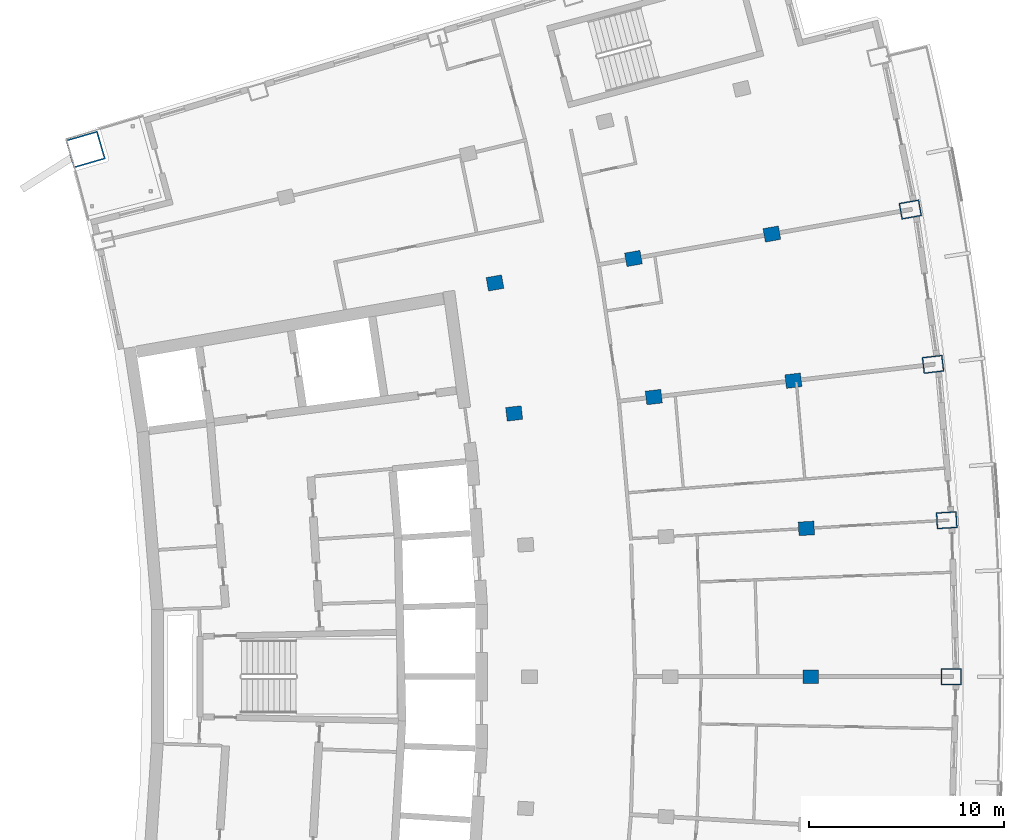
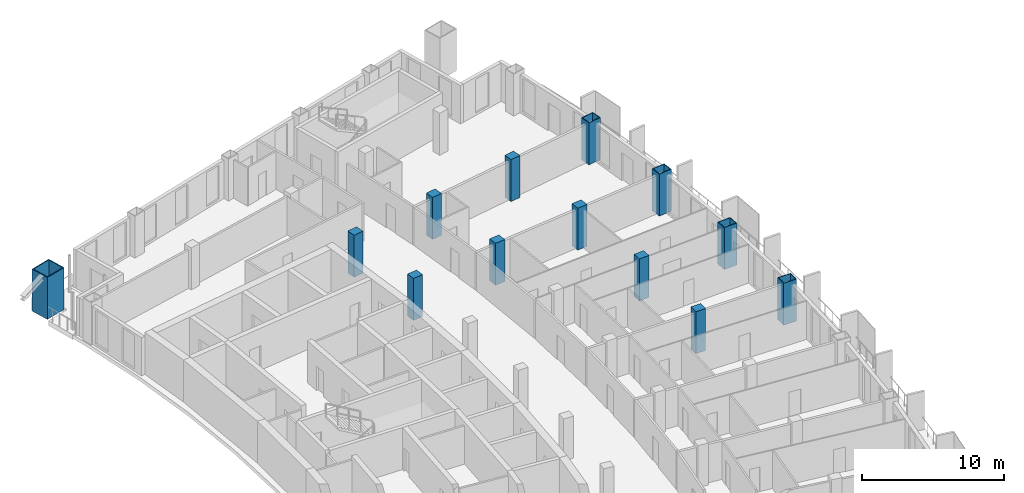
# One storey, part 6 of 18: 13 columns.
"""IFC4 building model written with IfcOpenShell, lengths in metres."""

from ifc_helpers import new_model, si_unit, direction, frame, origin, origin_2d, place, context, subcontext, project, spatial, rectangle, hollow_rectangle, extrude, material, material_profile, profile_set, type_object, element, save


model = new_model("IFC4")

# Units and contexts
model_context = context("Model", 3, precision=1e-05, world=origin(), true_north=direction((0.0, 1.0)))
body_context = subcontext(model_context, "Body", "Model", "MODEL_VIEW")
ifc_project = project(units=[si_unit("LENGTHUNIT", "METRE"), si_unit("AREAUNIT", "SQUARE_METRE"), si_unit("VOLUMEUNIT", "CUBIC_METRE"), si_unit("PLANEANGLEUNIT", "RADIAN"), si_unit("MASSUNIT", "GRAM", prefix="KILO")], contexts=[model_context])

# Site, building, storey
site_placement = place(None, origin())
site = spatial("IfcSite", under=ifc_project, at=site_placement, CompositionType="ELEMENT")
building_placement = place(site_placement, origin())
building = spatial("IfcBuilding", under=site, at=building_placement, Name="Alderwake Tower", CompositionType="ELEMENT")
storey_placement = place(building_placement, frame((0.0, 0.0, 225.199951171875)))
storey = spatial("IfcBuildingStorey", under=building, at=storey_placement, Name="L56", CompositionType="ELEMENT", Elevation=225.199951171875)

# Columns
ifc_material_1 = material(Name="Concrete C70/85", Category="concrete")
ifc_material_profile_1 = material_profile(ifc_material_1, rectangle(XDim=0.699951171875, YDim=0.800048828125, at=origin_2d()), Name="RC 800X700")
ifc_profile_set_1 = profile_set([ifc_material_profile_1], Name="Concrete C70/85")
column_type_1 = type_object("IfcColumnType", Name="Interior column Z4", PredefinedType="COLUMN", material=ifc_profile_set_1)
for number, where, z_axis, x_axis, name in (
    (1, (50.199951171875, 61.0, 0.0), (0.0, 0.0, 1.0), (0.0, 1.0, 0.0), "Column R07-C4"),
    (2, (49.978515625, 68.5908203125, 0.0), (0.0, 0.0, 1.0), (-0.058301061284, 0.998299046505, 0.0), "Column R08-C4"),
    (3, (35.0126953125, 74.4794921875, 0.0), (0.0, 0.0, 1.0), (-0.116402054316, 0.993202175668, 0.0), "Column R09-C2"),
    (4, (42.163818359375, 75.3173828125, 0.0), (0.0, 0.0, 1.0), (-0.116402054316, 0.993202175668, 0.0), "Column R09-C3"),
    (5, (49.31494140625, 76.155517578125, 0.0), (0.0, 0.0, 1.0), (-0.116402054316, 0.993202175668, 0.0), "Column R09-C4"),
    (6, (34.03125, 81.16162109375, 0.0), (0.0, 0.0, 1.0), (-0.174108800747, 0.984726421654, 0.0), "Column R10-C2"),
    (7, (41.121337890625, 82.415283203125, 0.0), (0.0, 0.0, 1.0), (-0.174108800747, 0.984726421654, 0.0), "Column R10-C3"),
    (8, (48.21142578125, 83.6689453125, 0.0), (0.0, 0.0, 1.0), (-0.174108800747, 0.984726421654, 0.0), "Column R10-C4"),
):
    element("IfcColumn", number, at=place(storey_placement, frame(where, z_axis=z_axis, x_axis=x_axis)), inside=storey, type_object=column_type_1, Name=name, PredefinedType="COLUMN", context=body_context, shape_type="SweptSolid", body=[
        extrude(rectangle(XDim=0.699951171875, YDim=0.800048828125, at=origin_2d()), origin(), (0.0, 0.0, 1.0), 3.60009765625),
    ])
ifc_material_2 = material(Name="Steel ASTM A572 Grade 50 concrete filled C70/85", Category="concrete")
ifc_material_profile_2 = material_profile(ifc_material_2, hollow_rectangle(XDim=1.5, YDim=1.699951171875, WallThickness=0.074951171875, at=origin_2d()), Name="BOX 1700X1500X75")
ifc_profile_set_2 = profile_set([ifc_material_profile_2], Name="Steel ASTM A572 Grade 50 concrete filled C70/85")
column_type_2 = type_object("IfcColumnType", Name="Mega column Z4", PredefinedType="COLUMN", material=ifc_profile_set_2)
column_placement = place(storey_placement, frame((13.06298828125, 87.99755859375, 0.0), z_axis=(0.0, 0.0, 1.0), x_axis=(-0.278612301868, 0.960403657452, 0.0)))
element("IfcColumn", 9, at=column_placement, inside=storey, type_object=column_type_2, Name="Column R12-C0", PredefinedType="COLUMN", context=body_context, shape_type="SweptSolid", body=[
    extrude(hollow_rectangle(XDim=1.5, YDim=1.699951171875, WallThickness=0.074951171875, at=origin_2d()), origin(), (0.0, 0.0, 1.0), 3.60009765625),
])
ifc_material_3 = material(Name="Steel ASTM A572 Grade 50 concrete filled C70/85", Category="concrete")
ifc_material_profile_3 = material_profile(ifc_material_3, hollow_rectangle(XDim=0.85009765625, YDim=1.050048828125, WallThickness=0.054931640625, at=origin_2d()), Name="BOX 1050X850X55")
ifc_profile_set_3 = profile_set([ifc_material_profile_3], Name="Steel ASTM A572 Grade 50 concrete filled C70/85")
column_type_3 = type_object("IfcColumnType", Name="Perimeter column Z4", PredefinedType="COLUMN", material=ifc_profile_set_3)
for number, where, z_axis, x_axis, name in (
    (10, (57.39990234375, 61.0, 0.0), (0.0, 0.0, 1.0), (0.0, 1.0, 0.0), "Column R07-C5"),
    (11, (57.166259765625, 69.010498046875, 0.0), (0.0, 0.0, 1.0), (-0.058301061284, 0.998299046505, 0.0), "Column R08-C5"),
    (12, (56.466064453125, 76.99365234375, 0.0), (0.0, 0.0, 1.0), (-0.116402054316, 0.993202175668, 0.0), "Column R09-C5"),
    (13, (55.301513671875, 84.922607421875, 0.0), (0.0, 0.0, 1.0), (-0.174108800747, 0.984726421654, 0.0), "Column R10-C5"),
):
    element("IfcColumn", number, at=place(storey_placement, frame(where, z_axis=z_axis, x_axis=x_axis)), inside=storey, type_object=column_type_3, Name=name, PredefinedType="COLUMN", context=body_context, shape_type="SweptSolid", body=[
        extrude(hollow_rectangle(XDim=0.85009765625, YDim=1.050048828125, WallThickness=0.054931640625, at=origin_2d()), origin(), (0.0, 0.0, 1.0), 3.60009765625),
    ])

save(model, "model.ifc")
